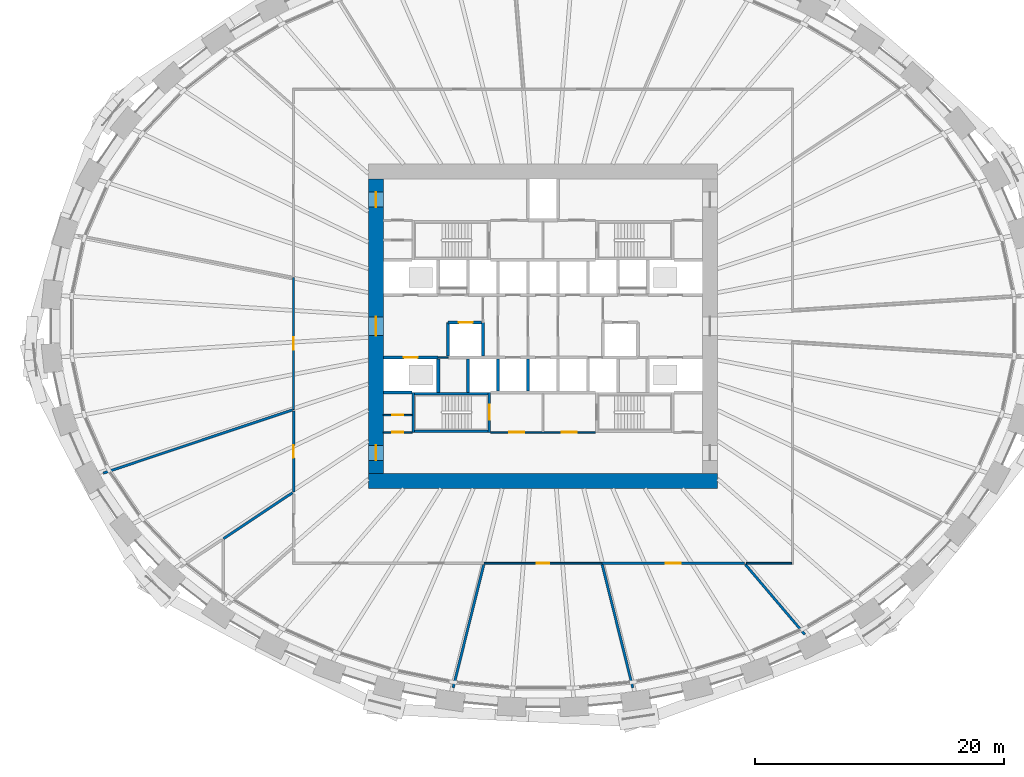
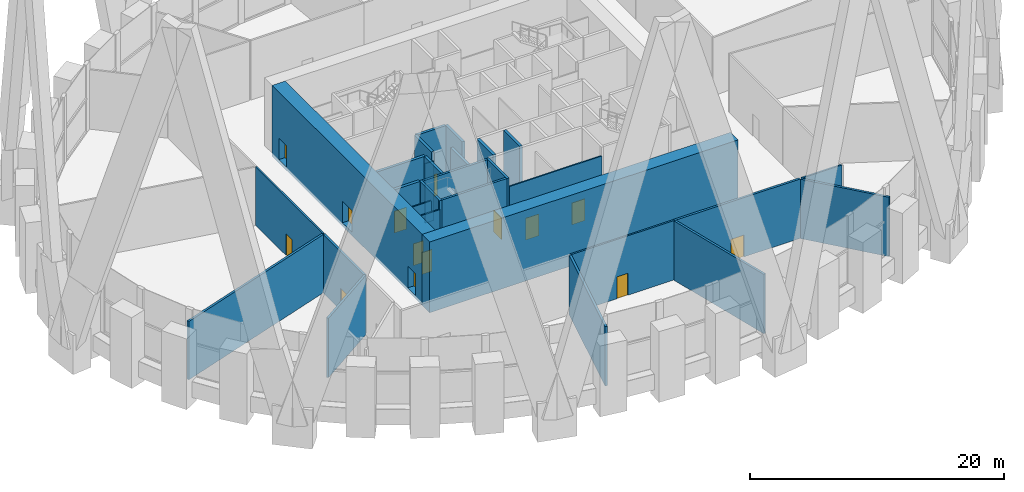
# One storey, part 9 of 17: 29 walls, 14 doors, 14 openings.
"""IFC4 building model written with IfcOpenShell, lengths in metres."""

from ifc_helpers import new_model, si_unit, direction, frame, frame_2d, origin, place, context, subcontext, project, spatial, rectangle, extrude, source, transform, mapped, material, layer, layer_set, type_object, element, fill, save


model = new_model("IFC4")

# Units and contexts
model_context = context("Model", 3, precision=1e-05, world=origin(), true_north=direction((0.0, 1.0)))
body_context = subcontext(model_context, "Body", "Model", "MODEL_VIEW")
ifc_project = project(units=[si_unit("LENGTHUNIT", "METRE"), si_unit("AREAUNIT", "SQUARE_METRE"), si_unit("VOLUMEUNIT", "CUBIC_METRE"), si_unit("PLANEANGLEUNIT", "RADIAN"), si_unit("MASSUNIT", "GRAM", prefix="KILO")], contexts=[model_context])

# Site, building, storey
site_placement = place(None, origin())
site = spatial("IfcSite", under=ifc_project, at=site_placement, CompositionType="ELEMENT")
building_placement = place(site_placement, origin())
building = spatial("IfcBuilding", under=site, at=building_placement, Name="Embergate Tower", CompositionType="ELEMENT")
storey_placement = place(building_placement, frame((0.0, 0.0, 125.0)))
storey = spatial("IfcBuildingStorey", under=building, at=storey_placement, Name="L27", CompositionType="ELEMENT", Elevation=125.0)

# Wall
ifc_material_1 = material(Name="Concrete C80", Category="concrete")
ifc_layer_1 = layer(ifc_material_1, 1.199951171875)
ifc_layer_set_1 = layer_set([ifc_layer_1], Name="Concrete C80")
wall_type_1 = type_object("IfcWallType", Name="Core outer wall C80 1200", PredefinedType="SHEAR", material=ifc_layer_set_1)
shared_shape_1 = source(origin(), body_context, "Body", "SweptSolid", [
    extrude(rectangle(XDim=28.0, YDim=1.199951171875, at=frame_2d((14.0, 0.0))), origin(), (0.0, 0.0, 1.0), 6.800048828125),
])
wall_1_placement = place(storey_placement, frame((-14.0, -12.39990234375, -0.300048828125), z_axis=(0.0, 0.0, 1.0), x_axis=(1.0, 0.0, 0.0)))
element("IfcWall", 1, at=wall_1_placement, inside=storey, type_object=wall_type_1, Name="CW-L27-S", PredefinedType="SHEAR", context=body_context, shape_type="MappedRepresentation", body=[
    mapped(shared_shape_1, transform((0.0, 0.0, 0.0))),
])

# Wall, openings, doors
shared_shape_2 = source(origin(), body_context, "Body", "SweptSolid", [
    extrude(rectangle(XDim=23.60009765625, YDim=1.199951171875, at=frame_2d((11.800048828125, 0.0))), origin(), (0.0, 0.0, 1.0), 6.800048828125),
])
wall_2_placement = place(storey_placement, frame((-13.39990234375, -11.800048828125, -0.300048828125), z_axis=(0.0, 0.0, 1.0), x_axis=(0.0, 1.0, 0.0)))
wall_2 = element("IfcWall", 2, at=wall_2_placement, inside=storey, type_object=wall_type_1, Name="CW-L27-W", PredefinedType="SHEAR", context=body_context, shape_type="MappedRepresentation", body=[
    mapped(shared_shape_2, transform((0.0, 0.0, 0.0))),
])
shared_shape_3 = source(origin(), body_context, "Body", "SweptSolid", [
    extrude(rectangle(XDim=1.199951171875, YDim=2.10009765625, at=frame_2d((0.60009765625, 1.050048828125))), frame((0.0, 0.60986328125, 0.0), z_axis=(0.0, -1.0, 0.0), x_axis=(1.0, 0.0, 0.0)), (0.0, 0.0, 1.0), 1.219970703125),
])
opening_1_placement = place(wall_2_placement, frame((21.35009765625, 0.0, 0.300048828125)))
opening_1 = element("IfcOpeningElement", 3, at=opening_1_placement, cuts=wall_2, Name="Opening IF-1", PredefinedType="OPENING", context=body_context, shape_type="MappedRepresentation", body=[
    mapped(shared_shape_3, transform((0.0, 0.0, 0.0))),
])
opening_2_placement = place(wall_2_placement, frame((1.050048828125, 0.0, 0.300048828125)))
opening_2 = element("IfcOpeningElement", 4, at=opening_2_placement, cuts=wall_2, Name="Opening IF-1", PredefinedType="OPENING", context=body_context, shape_type="MappedRepresentation", body=[
    mapped(shared_shape_3, transform((0.0, 0.0, 0.0))),
])
shared_shape_4 = source(origin(), body_context, "Body", "SweptSolid", [
    extrude(rectangle(XDim=1.5, YDim=2.10009765625, at=frame_2d((0.75, 1.050048828125))), frame((0.0, 0.60986328125, 0.0), z_axis=(0.0, -1.0, 0.0), x_axis=(1.0, 0.0, 0.0)), (0.0, 0.0, 1.0), 1.219970703125),
])
opening_3_placement = place(wall_2_placement, frame((11.050048828125, 0.0, 0.300048828125)))
opening_3 = element("IfcOpeningElement", 5, at=opening_3_placement, cuts=wall_2, Name="Opening IF-3", PredefinedType="OPENING", context=body_context, shape_type="MappedRepresentation", body=[
    mapped(shared_shape_4, transform((0.0, 0.0, 0.0))),
])
ifc_material_2 = material(Name="Escape fire door 1200")
door_type_1 = type_object("IfcDoorType", Name="Escape fire door 1200", OperationType="SINGLE_SWING_LEFT", PredefinedType="DOOR", material=ifc_material_2)
shared_shape_5 = source(origin(), body_context, "Body", "SweptSolid", [
    extrude(rectangle(XDim=1.199951171875, YDim=2.10009765625, at=frame_2d((0.60009765625, 1.050048828125))), frame((0.0, 0.02490234375, 0.0), z_axis=(0.0, -1.0, 0.0), x_axis=(1.0, 0.0, 0.0)), (0.0, 0.0, 1.0), 0.050048828125),
])
door_1_placement = place(opening_1_placement, origin())
door_1 = element("IfcDoor", 6, at=door_1_placement, inside=storey, type_object=door_type_1, Name="IF-1 door", OperationType="SINGLE_SWING_RIGHT", OverallHeight=2.10009765625, OverallWidth=1.199951171875, PredefinedType="DOOR", context=body_context, shape_type="MappedRepresentation", body=[
    mapped(shared_shape_5, transform((0.0, 0.0, 0.0))),
])
fill(opening_1, door_1)
door_2_placement = place(opening_2_placement, origin())
door_2 = element("IfcDoor", 7, at=door_2_placement, inside=storey, type_object=door_type_1, Name="IF-1 door", OperationType="SINGLE_SWING_LEFT", OverallHeight=2.10009765625, OverallWidth=1.199951171875, PredefinedType="DOOR", context=body_context, shape_type="MappedRepresentation", body=[
    mapped(shared_shape_5, transform((0.0, 0.0, 0.0))),
])
fill(opening_2, door_2)
ifc_material_3 = material(Name="Lobby fire door pair 1500")
door_type_2 = type_object("IfcDoorType", Name="Lobby fire door pair 1500", OperationType="DOUBLE_DOOR_SINGLE_SWING", PredefinedType="DOOR", material=ifc_material_3)
shared_shape_6 = source(origin(), body_context, "Body", "SweptSolid", [
    extrude(rectangle(XDim=1.5, YDim=2.10009765625, at=frame_2d((0.75, 1.050048828125))), frame((0.0, 0.02490234375, 0.0), z_axis=(0.0, -1.0, 0.0), x_axis=(1.0, 0.0, 0.0)), (0.0, 0.0, 1.0), 0.050048828125),
])
door_3_placement = place(opening_3_placement, origin())
door_3 = element("IfcDoor", 8, at=door_3_placement, inside=storey, type_object=door_type_2, Name="IF-3 door", OperationType="DOUBLE_DOOR_SINGLE_SWING", OverallHeight=2.10009765625, OverallWidth=1.5, PredefinedType="DOOR", context=body_context, shape_type="MappedRepresentation", body=[
    mapped(shared_shape_6, transform((0.0, 0.0, 0.0))),
])
fill(opening_3, door_3)

# Wall
ifc_material_4 = material(Name="Concrete C50", Category="concrete")
ifc_layer_2 = layer(ifc_material_4, 0.25)
ifc_layer_set_2 = layer_set([ifc_layer_2], Name="Concrete C50")
wall_type_2 = type_object("IfcWallType", Name="Hoistway wall reinforced concrete 250", PredefinedType="SHEAR", material=ifc_layer_set_2)
shared_shape_7 = source(origin(), body_context, "Body", "SweptSolid", [
    extrude(rectangle(XDim=2.675048828125, YDim=0.25, at=frame_2d((1.33740234375, 0.0))), origin(), (0.0, 0.0, 1.0), 6.5),
])
wall_3_placement = place(storey_placement, frame((-4.800048828125, 0.300048828125, 0.0), z_axis=(0.0, 0.0, 1.0), x_axis=(0.0, -1.0, 0.0)))
element("IfcWall", 9, at=wall_3_placement, inside=storey, type_object=wall_type_2, Name="HW-1 wall", PredefinedType="SHEAR", context=body_context, shape_type="MappedRepresentation", body=[
    mapped(shared_shape_7, transform((0.0, 0.0, 0.0))),
])

# Wall, opening, door
wall_4_placement = place(storey_placement, frame((-4.925048828125, 0.300048828125, 0.0), z_axis=(0.0, 0.0, 1.0), x_axis=(-1.0, 0.0, 0.0)))
wall_4 = element("IfcWall", 10, at=wall_4_placement, inside=storey, type_object=wall_type_2, Name="HW-1 wall", PredefinedType="SHEAR", context=body_context, shape_type="MappedRepresentation", body=[
    mapped(shared_shape_7, transform((0.0, 0.0, 0.0))),
])
shared_shape_8 = source(origin(), body_context, "Body", "SweptSolid", [
    extrude(rectangle(XDim=1.10009765625, YDim=2.10009765625, at=frame_2d((0.550048828125, 1.050048828125))), frame((0.0, 0.135009765625, 0.0), z_axis=(0.0, -1.0, 0.0), x_axis=(1.0, 0.0, 0.0)), (0.0, 0.0, 1.0), 0.27001953125),
])
opening_4_placement = place(wall_4_placement, frame((0.72509765625, 0.0, 0.0)))
opening_4 = element("IfcOpeningElement", 11, at=opening_4_placement, cuts=wall_4, Name="Opening LD", PredefinedType="OPENING", context=body_context, shape_type="MappedRepresentation", body=[
    mapped(shared_shape_8, transform((0.0, 0.0, 0.0))),
])
ifc_material_5 = material(Name="Landing door sliding 1100")
door_type_3 = type_object("IfcDoorType", Name="Landing door sliding 1100", OperationType="SLIDING_TO_LEFT", PredefinedType="DOOR", material=ifc_material_5)
shared_shape_9 = source(origin(), body_context, "Body", "SweptSolid", [
    extrude(rectangle(XDim=1.10009765625, YDim=2.10009765625, at=frame_2d((0.550048828125, 1.050048828125))), frame((0.0, 0.02490234375, 0.0), z_axis=(0.0, -1.0, 0.0), x_axis=(1.0, 0.0, 0.0)), (0.0, 0.0, 1.0), 0.050048828125),
])
door_4_placement = place(opening_4_placement, origin())
door_4 = element("IfcDoor", 12, at=door_4_placement, inside=storey, type_object=door_type_3, Name="LD door", OperationType="SLIDING_TO_RIGHT", OverallHeight=2.10009765625, OverallWidth=1.10009765625, PredefinedType="DOOR", context=body_context, shape_type="MappedRepresentation", body=[
    mapped(shared_shape_9, transform((0.0, 0.0, 0.0))),
])
fill(opening_4, door_4)

# Wall
wall_5_placement = place(storey_placement, frame((-7.60009765625, 0.300048828125, 0.0), z_axis=(0.0, 0.0, 1.0), x_axis=(0.0, -1.0, 0.0)))
element("IfcWall", 13, at=wall_5_placement, inside=storey, type_object=wall_type_2, Name="HW-1 wall", PredefinedType="SHEAR", context=body_context, shape_type="MappedRepresentation", body=[
    mapped(shared_shape_7, transform((0.0, 0.0, 0.0))),
])

# Wall, opening, door
shared_shape_10 = source(origin(), body_context, "Body", "SweptSolid", [
    extrude(rectangle(XDim=4.400146484375, YDim=0.25, at=frame_2d((2.2001953125, 0.0))), origin(), (0.0, 0.0, 1.0), 6.5),
])
wall_6_placement = place(storey_placement, frame((-8.39990234375, -2.5, 0.0), z_axis=(0.0, 0.0, 1.0), x_axis=(-1.0, 0.0, 0.0)))
wall_6 = element("IfcWall", 14, at=wall_6_placement, inside=storey, type_object=wall_type_2, Name="HW-1 wall", PredefinedType="SHEAR", context=body_context, shape_type="MappedRepresentation", body=[
    mapped(shared_shape_10, transform((0.0, 0.0, 0.0))),
])
opening_5_placement = place(wall_6_placement, frame((1.64990234375, 0.0, 0.0)))
opening_5 = element("IfcOpeningElement", 15, at=opening_5_placement, cuts=wall_6, Name="Opening LD", PredefinedType="OPENING", context=body_context, shape_type="MappedRepresentation", body=[
    mapped(shared_shape_8, transform((0.0, 0.0, 0.0))),
])
door_5_placement = place(opening_5_placement, origin())
door_5 = element("IfcDoor", 16, at=door_5_placement, inside=storey, type_object=door_type_3, Name="LD door", OperationType="SLIDING_TO_LEFT", OverallHeight=2.10009765625, OverallWidth=1.10009765625, PredefinedType="DOOR", context=body_context, shape_type="MappedRepresentation", body=[
    mapped(shared_shape_9, transform((0.0, 0.0, 0.0))),
])
fill(opening_5, door_5)

# Walls
ifc_layer_3 = layer(ifc_material_4, 0.199951171875)
ifc_layer_set_3 = layer_set([ifc_layer_3], Name="Concrete C50")
wall_type_3 = type_object("IfcWallType", Name="Stair enclosure wall reinforced concrete 250", PredefinedType="SHEAR", material=ifc_layer_set_3)
shared_shape_11 = source(origin(), body_context, "Body", "SweptSolid", [
    extrude(rectangle(XDim=6.300048828125, YDim=0.199951171875, at=frame_2d((3.14990234375, 0.0))), origin(), (0.0, 0.0, 1.0), 6.5),
])
for number, where, z_axis, x_axis, name in (
    (17, (-10.5, -5.39990234375, 0.0), (0.0, 0.0, 1.0), (1.0, 0.0, 0.0), "SE-1 wall"),
    (18, (-10.5, -8.39990234375, 0.0), (0.0, 0.0, 1.0), (1.0, 0.0, 0.0), "SE-1 wall"),
):
    element("IfcWall", number, at=place(storey_placement, frame(where, z_axis=z_axis, x_axis=x_axis)), inside=storey, type_object=wall_type_3, Name=name, PredefinedType="SHEAR", context=body_context, shape_type="MappedRepresentation", body=[
        mapped(shared_shape_11, transform((0.0, 0.0, 0.0))),
    ])
shared_shape_12 = source(origin(), body_context, "Body", "SweptSolid", [
    extrude(rectangle(XDim=2.300048828125, YDim=0.25, at=frame_2d((1.14990234375, 0.0))), origin(), (0.0, 0.0, 1.0), 6.5),
])
wall_7_placement = place(storey_placement, frame((-12.800048828125, -5.300048828125, 0.0), z_axis=(0.0, 0.0, 1.0), x_axis=(1.0, 0.0, 0.0)))
element("IfcWall", 19, at=wall_7_placement, inside=storey, type_object=wall_type_2, Name="HW-1 wall", PredefinedType="SHEAR", context=body_context, shape_type="MappedRepresentation", body=[
    mapped(shared_shape_12, transform((0.0, 0.0, 0.0))),
])
shared_shape_13 = source(origin(), body_context, "Body", "SweptSolid", [
    extrude(rectangle(XDim=2.550048828125, YDim=0.25, at=frame_2d((1.27490234375, 0.0))), origin(), (0.0, 0.0, 1.0), 6.5),
])
for number, where, z_axis, x_axis, name in (
    (20, (-3.60009765625, -5.175048828125, 0.0), (0.0, 0.0, 1.0), (0.0, 1.0, 0.0), "HW-1 wall"),
    (21, (-1.199951171875, -5.175048828125, 0.0), (0.0, 0.0, 1.0), (0.0, 1.0, 0.0), "HW-1 wall"),
):
    element("IfcWall", number, at=place(storey_placement, frame(where, z_axis=z_axis, x_axis=x_axis)), inside=storey, type_object=wall_type_2, Name=name, PredefinedType="SHEAR", context=body_context, shape_type="MappedRepresentation", body=[
        mapped(shared_shape_13, transform((0.0, 0.0, 0.0))),
    ])

# Wall, opening, door
shared_shape_14 = source(origin(), body_context, "Body", "SweptSolid", [
    extrude(rectangle(XDim=3.199951171875, YDim=0.199951171875, at=frame_2d((1.60009765625, 0.0))), origin(), (0.0, 0.0, 1.0), 6.5),
])
wall_8_placement = place(storey_placement, frame((-4.300048828125, -8.5, 0.0), z_axis=(0.0, 0.0, 1.0), x_axis=(0.0, 1.0, 0.0)))
wall_8 = element("IfcWall", 22, at=wall_8_placement, inside=storey, type_object=wall_type_3, Name="SE-1 wall", PredefinedType="SHEAR", context=body_context, shape_type="MappedRepresentation", body=[
    mapped(shared_shape_14, transform((0.0, 0.0, 0.0))),
])
shared_shape_15 = source(origin(), body_context, "Body", "SweptSolid", [
    extrude(rectangle(XDim=1.199951171875, YDim=2.10009765625, at=frame_2d((0.60009765625, 1.050048828125))), frame((0.0, 0.10986328125, 0.0), z_axis=(0.0, -1.0, 0.0), x_axis=(1.0, 0.0, 0.0)), (0.0, 0.0, 1.0), 0.219970703125),
])
opening_6_placement = place(wall_8_placement, frame((1.0, 0.0, 0.0)))
opening_6 = element("IfcOpeningElement", 23, at=opening_6_placement, cuts=wall_8, Name="Opening IF-2", PredefinedType="OPENING", context=body_context, shape_type="MappedRepresentation", body=[
    mapped(shared_shape_15, transform((0.0, 0.0, 0.0))),
])
ifc_material_6 = material(Name="Stair enclosure door 1200")
door_type_4 = type_object("IfcDoorType", Name="Stair enclosure door 1200", OperationType="SINGLE_SWING_LEFT", PredefinedType="DOOR", material=ifc_material_6)
door_6_placement = place(opening_6_placement, origin())
door_6 = element("IfcDoor", 24, at=door_6_placement, inside=storey, type_object=door_type_4, Name="IF-2 door", OperationType="SINGLE_SWING_LEFT", OverallHeight=2.10009765625, OverallWidth=1.199951171875, PredefinedType="DOOR", context=body_context, shape_type="MappedRepresentation", body=[
    mapped(shared_shape_5, transform((0.0, 0.0, 0.0))),
])
fill(opening_6, door_6)

# Wall
wall_9_placement = place(storey_placement, frame((-10.39990234375, -5.300048828125, 0.0), z_axis=(0.0, 0.0, 1.0), x_axis=(0.0, -1.0, 0.0)))
element("IfcWall", 25, at=wall_9_placement, inside=storey, type_object=wall_type_3, Name="SE-1 wall", PredefinedType="SHEAR", context=body_context, shape_type="MappedRepresentation", body=[
    mapped(shared_shape_14, transform((0.0, 0.0, 0.0))),
])

# Wall, openings, doors
ifc_material_7 = material(Name="Core partition blockwork 120")
ifc_layer_4 = layer(ifc_material_7, 0.1201171875)
ifc_layer_set_4 = layer_set([ifc_layer_4], Name="Core partition blockwork 120")
wall_type_4 = type_object("IfcWallType", Name="Core partition blockwork 120", PredefinedType="PARTITIONING", material=ifc_layer_set_4)
shared_shape_16 = source(origin(), body_context, "Body", "SweptSolid", [
    extrude(rectangle(XDim=8.39990234375, YDim=0.1201171875, at=frame_2d((4.199951171875, 0.0))), origin(), (0.0, 0.0, 1.0), 5.699951171875),
])
wall_10_placement = place(storey_placement, frame((-4.199951171875, -8.5, 0.0), z_axis=(0.0, 0.0, 1.0), x_axis=(1.0, 0.0, 0.0)))
wall_10 = element("IfcWall", 26, at=wall_10_placement, inside=storey, type_object=wall_type_4, Name="IP-3 wall", PredefinedType="PARTITIONING", context=body_context, shape_type="MappedRepresentation", body=[
    mapped(shared_shape_16, transform((0.0, 0.0, 0.0))),
])
shared_shape_17 = source(origin(), body_context, "Body", "SweptSolid", [
    extrude(rectangle(XDim=1.199951171875, YDim=2.10009765625, at=frame_2d((0.60009765625, 1.050048828125))), frame((0.0, 0.070068359375, 0.0), z_axis=(0.0, -1.0, 0.0), x_axis=(1.0, 0.0, 0.0)), (0.0, 0.0, 1.0), 0.14013671875),
])
opening_7_placement = place(wall_10_placement, frame((1.5, 0.0, 0.0)))
opening_7 = element("IfcOpeningElement", 27, at=opening_7_placement, cuts=wall_10, Name="Opening IF-3f", PredefinedType="OPENING", context=body_context, shape_type="MappedRepresentation", body=[
    mapped(shared_shape_17, transform((0.0, 0.0, 0.0))),
])
opening_8_placement = place(wall_10_placement, frame((5.699951171875, 0.0, 0.0)))
opening_8 = element("IfcOpeningElement", 28, at=opening_8_placement, cuts=wall_10, Name="Opening IF-3f", PredefinedType="OPENING", context=body_context, shape_type="MappedRepresentation", body=[
    mapped(shared_shape_17, transform((0.0, 0.0, 0.0))),
])
ifc_material_8 = material(Name="Lobby fire door pair 1200")
door_type_5 = type_object("IfcDoorType", Name="Lobby fire door pair 1200", OperationType="DOUBLE_DOOR_SINGLE_SWING", PredefinedType="DOOR", material=ifc_material_8)
door_7_placement = place(opening_7_placement, origin())
door_7 = element("IfcDoor", 29, at=door_7_placement, inside=storey, type_object=door_type_5, Name="IF-3 door", OperationType="DOUBLE_DOOR_SINGLE_SWING", OverallHeight=2.10009765625, OverallWidth=1.199951171875, PredefinedType="DOOR", context=body_context, shape_type="MappedRepresentation", body=[
    mapped(shared_shape_5, transform((0.0, 0.0, 0.0))),
])
fill(opening_7, door_7)
door_8_placement = place(opening_8_placement, origin())
door_8 = element("IfcDoor", 30, at=door_8_placement, inside=storey, type_object=door_type_5, Name="IF-3 door", OperationType="DOUBLE_DOOR_SINGLE_SWING", OverallHeight=2.10009765625, OverallWidth=1.199951171875, PredefinedType="DOOR", context=body_context, shape_type="MappedRepresentation", body=[
    mapped(shared_shape_5, transform((0.0, 0.0, 0.0))),
])
fill(opening_8, door_8)

# Wall, opening, door
shared_shape_18 = source(origin(), body_context, "Body", "SweptSolid", [
    extrude(rectangle(XDim=2.300048828125, YDim=0.1201171875, at=frame_2d((1.14990234375, 0.0))), origin(), (0.0, 0.0, 1.0), 5.699951171875),
])
wall_11_placement = place(storey_placement, frame((-10.5, -8.5, 0.0), z_axis=(0.0, 0.0, 1.0), x_axis=(-1.0, 0.0, 0.0)))
wall_11 = element("IfcWall", 31, at=wall_11_placement, inside=storey, type_object=wall_type_4, Name="IP-3 wall", PredefinedType="PARTITIONING", context=body_context, shape_type="MappedRepresentation", body=[
    mapped(shared_shape_18, transform((0.0, 0.0, 0.0))),
])
shared_shape_19 = source(origin(), body_context, "Body", "SweptSolid", [
    extrude(rectangle(XDim=0.89990234375, YDim=2.10009765625, at=frame_2d((0.449951171875, 1.050048828125))), frame((0.0, 0.070068359375, 0.0), z_axis=(0.0, -1.0, 0.0), x_axis=(1.0, 0.0, 0.0)), (0.0, 0.0, 1.0), 0.14013671875),
])
opening_9_placement = place(wall_11_placement, frame((0.699951171875, 0.0, 0.0)))
opening_9 = element("IfcOpeningElement", 32, at=opening_9_placement, cuts=wall_11, Name="Opening ID-1", PredefinedType="OPENING", context=body_context, shape_type="MappedRepresentation", body=[
    mapped(shared_shape_19, transform((0.0, 0.0, 0.0))),
])
ifc_material_9 = material(Name="Interior door 900")
door_type_6 = type_object("IfcDoorType", Name="Interior door 900", OperationType="SINGLE_SWING_LEFT", PredefinedType="DOOR", material=ifc_material_9)
shared_shape_20 = source(origin(), body_context, "Body", "SweptSolid", [
    extrude(rectangle(XDim=0.89990234375, YDim=2.10009765625, at=frame_2d((0.449951171875, 1.050048828125))), frame((0.0, 0.02490234375, 0.0), z_axis=(0.0, -1.0, 0.0), x_axis=(1.0, 0.0, 0.0)), (0.0, 0.0, 1.0), 0.050048828125),
])
door_9_placement = place(opening_9_placement, origin())
door_9 = element("IfcDoor", 33, at=door_9_placement, inside=storey, type_object=door_type_6, Name="ID-1 door", OperationType="SINGLE_SWING_LEFT", OverallHeight=2.10009765625, OverallWidth=0.89990234375, PredefinedType="DOOR", context=body_context, shape_type="MappedRepresentation", body=[
    mapped(shared_shape_20, transform((0.0, 0.0, 0.0))),
])
fill(opening_9, door_9)

wall_12_placement = place(storey_placement, frame((-10.5, -7.1240234375, 0.0), z_axis=(0.0, 0.0, 1.0), x_axis=(-1.0, 0.0, 0.0)))
wall_12 = element("IfcWall", 34, at=wall_12_placement, inside=storey, type_object=wall_type_4, Name="IP-3 wall", PredefinedType="PARTITIONING", context=body_context, shape_type="MappedRepresentation", body=[
    mapped(shared_shape_18, transform((0.0, 0.0, 0.0))),
])
opening_10_placement = place(wall_12_placement, frame((0.699951171875, 0.0, 0.0)))
opening_10 = element("IfcOpeningElement", 35, at=opening_10_placement, cuts=wall_12, Name="Opening ID-1", PredefinedType="OPENING", context=body_context, shape_type="MappedRepresentation", body=[
    mapped(shared_shape_19, transform((0.0, 0.0, 0.0))),
])
door_10_placement = place(opening_10_placement, origin())
door_10 = element("IfcDoor", 36, at=door_10_placement, inside=storey, type_object=door_type_6, Name="ID-1 door", OperationType="SINGLE_SWING_RIGHT", OverallHeight=2.10009765625, OverallWidth=0.89990234375, PredefinedType="DOOR", context=body_context, shape_type="MappedRepresentation", body=[
    mapped(shared_shape_20, transform((0.0, 0.0, 0.0))),
])
fill(opening_10, door_10)

# Walls
shared_shape_21 = source(origin(), body_context, "Body", "SweptSolid", [
    extrude(rectangle(XDim=2.671142578125, YDim=0.25, at=frame_2d((1.33544921875, 0.0))), origin(), (0.0, 0.0, 1.0), 6.5),
])
for number, where, z_axis, x_axis, name in (
    (37, (-8.39990234375, -5.298095703125, 0.0), (0.0, 0.0, 1.0), (0.0, 1.0, 0.0), "HW-1 wall"),
    (38, (-6.0, -2.626953125, 0.0), (0.0, 0.0, 1.0), (0.0, -1.0, 0.0), "HW-1 wall"),
):
    element("IfcWall", number, at=place(storey_placement, frame(where, z_axis=z_axis, x_axis=x_axis)), inside=storey, type_object=wall_type_2, Name=name, PredefinedType="SHEAR", context=body_context, shape_type="MappedRepresentation", body=[
        mapped(shared_shape_21, transform((0.0, 0.0, 0.0))),
    ])
shared_shape_22 = source(origin(), body_context, "Body", "SweptSolid", [
    extrude(rectangle(XDim=0.7958984375, YDim=0.1201171875, at=frame_2d((0.39794921875, 0.0))), origin(), (0.0, 0.0, 1.0), 5.699951171875),
])
wall_13_placement = place(storey_placement, frame((-8.39794921875, -2.5, 0.0), z_axis=(0.0, 0.0, 1.0), x_axis=(1.0, 0.0, 0.0)))
element("IfcWall", 39, at=wall_13_placement, inside=storey, type_object=wall_type_4, Name="IP-3 wall", PredefinedType="PARTITIONING", context=body_context, shape_type="MappedRepresentation", body=[
    mapped(shared_shape_22, transform((0.0, 0.0, 0.0))),
])
ifc_material_10 = material(Name="Blockwork, plastered", Category="masonry")
ifc_layer_5 = layer(ifc_material_10, 0.199951171875)
ifc_layer_set_5 = layer_set([ifc_layer_5], Name="Blockwork, plastered")
wall_type_5 = type_object("IfcWallType", Name="Partition wall 200 block", PredefinedType="PARTITIONING", material=ifc_layer_set_5)
shared_shape_23 = source(origin(), body_context, "Body", "SweptSolid", [
    extrude(rectangle(XDim=6.645263671875, YDim=0.199951171875, at=frame_2d((3.32275390625, 0.0))), origin(), (0.0, 0.0, 1.0), 5.699951171875),
])
wall_14_placement = place(storey_placement, frame((-20.0830078125, -13.346923828125, 0.0), z_axis=(0.0, 0.0, 1.0), x_axis=(-0.83276742507, -0.55362299062, 0.0)))
element("IfcWall", 40, at=wall_14_placement, inside=storey, type_object=wall_type_5, Name="Partition 006", PredefinedType="PARTITIONING", context=body_context, shape_type="MappedRepresentation", body=[
    mapped(shared_shape_23, transform((0.0, 0.0, 0.0))),
])

# Wall, opening, door
shared_shape_24 = source(origin(), body_context, "Body", "SweptSolid", [
    extrude(rectangle(XDim=6.493896484375, YDim=0.199951171875, at=frame_2d((3.2470703125, 0.0))), origin(), (0.0, 0.0, 1.0), 5.60009765625),
])
wall_15_placement = place(storey_placement, frame((-20.0, -13.2919921875, 0.0), z_axis=(0.0, 0.0, 1.0), x_axis=(0.0, 1.0, 0.0)))
wall_15 = element("IfcWall", 41, at=wall_15_placement, inside=storey, type_object=wall_type_5, Name="Partition 007", PredefinedType="PARTITIONING", context=body_context, shape_type="MappedRepresentation", body=[
    mapped(shared_shape_24, transform((0.0, 0.0, 0.0))),
])
shared_shape_25 = source(origin(), body_context, "Body", "SweptSolid", [
    extrude(rectangle(XDim=1.0, YDim=2.10009765625, at=frame_2d((0.5, 1.050048828125))), frame((0.0, 0.10986328125, 0.0), z_axis=(0.0, -1.0, 0.0), x_axis=(1.0, 0.0, 0.0)), (0.0, 0.0, 1.0), 0.219970703125),
])
opening_11_placement = place(wall_15_placement, frame((2.7470703125, 0.0, 0.0)))
opening_11 = element("IfcOpeningElement", 42, at=opening_11_placement, cuts=wall_15, Name="Opening DS-111", PredefinedType="OPENING", context=body_context, shape_type="MappedRepresentation", body=[
    mapped(shared_shape_25, transform((0.0, 0.0, 0.0))),
])
ifc_material_11 = material(Name="Timber door leaf, steel frame", Category="steel")
door_type_7 = type_object("IfcDoorType", Name="Single door 1000x2100", OperationType="SINGLE_SWING_LEFT", PredefinedType="DOOR", material=ifc_material_11)
shared_shape_26 = source(origin(), body_context, "Body", "SweptSolid", [
    extrude(rectangle(XDim=1.0, YDim=2.10009765625, at=frame_2d((0.5, 1.050048828125))), frame((0.0, 0.02490234375, 0.0), z_axis=(0.0, -1.0, 0.0), x_axis=(1.0, 0.0, 0.0)), (0.0, 0.0, 1.0), 0.050048828125),
])
door_11_placement = place(opening_11_placement, origin())
door_11 = element("IfcDoor", 43, at=door_11_placement, inside=storey, type_object=door_type_7, Name="Door to Public WC", OperationType="SINGLE_SWING_LEFT", OverallHeight=2.10009765625, OverallWidth=1.0, PredefinedType="DOOR", context=body_context, shape_type="MappedRepresentation", body=[
    mapped(shared_shape_26, transform((0.0, 0.0, 0.0))),
])
fill(opening_11, door_11)

# Wall
shared_shape_27 = source(origin(), body_context, "Body", "SweptSolid", [
    extrude(rectangle(XDim=15.9765625, YDim=0.199951171875, at=frame_2d((7.98828125, 0.0))), origin(), (0.0, 0.0, 1.0), 5.60009765625),
])
wall_16_placement = place(storey_placement, frame((-20.094970703125, -6.7099609375, 0.0), z_axis=(0.0, 0.0, 1.0), x_axis=(-0.948519662343, -0.316718250419, 0.0)))
element("IfcWall", 44, at=wall_16_placement, inside=storey, type_object=wall_type_5, Name="Partition 008", PredefinedType="PARTITIONING", context=body_context, shape_type="MappedRepresentation", body=[
    mapped(shared_shape_27, transform((0.0, 0.0, 0.0))),
])

# Wall, opening, door
ifc_material_12 = material(Name="Plasterboard on steel stud", Category="steel")
ifc_layer_6 = layer(ifc_material_12, 0.14990234375)
ifc_layer_set_6 = layer_set([ifc_layer_6], Name="Plasterboard on steel stud")
wall_type_6 = type_object("IfcWallType", Name="Partition wall 150 board", PredefinedType="PARTITIONING", material=ifc_layer_set_6)
shared_shape_28 = source(origin(), body_context, "Body", "SweptSolid", [
    extrude(rectangle(XDim=10.5849609375, YDim=0.14990234375, at=frame_2d((5.29248046875, 0.0))), origin(), (0.0, 0.0, 1.0), 5.60009765625),
])
wall_17_placement = place(storey_placement, frame((-20.0, -6.677978515625, 0.0), z_axis=(0.0, 0.0, 1.0), x_axis=(0.0, 1.0, 0.0)))
wall_17 = element("IfcWall", 45, at=wall_17_placement, inside=storey, type_object=wall_type_6, Name="Partition 009", PredefinedType="PARTITIONING", context=body_context, shape_type="MappedRepresentation", body=[
    mapped(shared_shape_28, transform((0.0, 0.0, 0.0))),
])
shared_shape_29 = source(origin(), body_context, "Body", "SweptSolid", [
    extrude(rectangle(XDim=1.0, YDim=2.10009765625, at=frame_2d((0.5, 1.050048828125))), frame((0.0, 0.0849609375, 0.0), z_axis=(0.0, -1.0, 0.0), x_axis=(1.0, 0.0, 0.0)), (0.0, 0.0, 1.0), 0.169921875),
])
opening_12_placement = place(wall_17_placement, frame((4.79296875, 0.0, 0.0)))
opening_12 = element("IfcOpeningElement", 46, at=opening_12_placement, cuts=wall_17, Name="Opening DS-110", PredefinedType="OPENING", context=body_context, shape_type="MappedRepresentation", body=[
    mapped(shared_shape_29, transform((0.0, 0.0, 0.0))),
])
door_12_placement = place(opening_12_placement, origin())
door_12 = element("IfcDoor", 47, at=door_12_placement, inside=storey, type_object=door_type_7, Name="Door to Tenant meeting suite", OperationType="SINGLE_SWING_LEFT", OverallHeight=2.10009765625, OverallWidth=1.0, PredefinedType="DOOR", context=body_context, shape_type="MappedRepresentation", body=[
    mapped(shared_shape_26, transform((0.0, 0.0, 0.0))),
])
fill(opening_12, door_12)

# Walls
ifc_layer_7 = layer(ifc_material_10, 0.199951171875)
ifc_layer_set_7 = layer_set([ifc_layer_7], Name="Blockwork, plastered")
wall_type_7 = type_object("IfcWallType", Name="Fire partition wall 200 block", PredefinedType="PARTITIONING", material=ifc_layer_set_7)
shared_shape_30 = source(origin(), body_context, "Body", "SweptSolid", [
    extrude(rectangle(XDim=10.175048828125, YDim=0.199951171875, at=frame_2d((5.08740234375, 0.0))), origin(), (0.0, 0.0, 1.0), 5.699951171875),
])
for number, where, z_axis, x_axis, name in (
    (48, (-4.7490234375, -19.10693359375, 0.0), (0.0, 0.0, 1.0), (-0.241067480628, -0.97050835637, 0.0), "Partition 018"),
    (49, (4.7490234375, -19.10693359375, 0.0), (0.0, 0.0, 1.0), (0.241067480628, -0.97050835637, 0.0), "Partition 022"),
):
    element("IfcWall", number, at=place(storey_placement, frame(where, z_axis=z_axis, x_axis=x_axis)), inside=storey, type_object=wall_type_7, Name=name, PredefinedType="PARTITIONING", context=body_context, shape_type="MappedRepresentation", body=[
        mapped(shared_shape_30, transform((0.0, 0.0, 0.0))),
    ])

# Wall, opening, door
shared_shape_31 = source(origin(), body_context, "Body", "SweptSolid", [
    extrude(rectangle(XDim=9.44384765625, YDim=0.14990234375, at=frame_2d((4.721923828125, 0.0))), origin(), (0.0, 0.0, 1.0), 5.699951171875),
])
wall_18_placement = place(storey_placement, frame((4.721923828125, -19.0, 0.0), z_axis=(0.0, 0.0, 1.0), x_axis=(-1.0, 0.0, 0.0)))
wall_18 = element("IfcWall", 50, at=wall_18_placement, inside=storey, type_object=wall_type_6, Name="Partition 021", PredefinedType="PARTITIONING", context=body_context, shape_type="MappedRepresentation", body=[
    mapped(shared_shape_31, transform((0.0, 0.0, 0.0))),
])
opening_13_placement = place(wall_18_placement, frame((4.221923828125, 0.0, 0.0)))
opening_13 = element("IfcOpeningElement", 51, at=opening_13_placement, cuts=wall_18, Name="Opening DS-115", PredefinedType="OPENING", context=body_context, shape_type="MappedRepresentation", body=[
    mapped(shared_shape_29, transform((0.0, 0.0, 0.0))),
])
door_13_placement = place(opening_13_placement, origin())
door_13 = element("IfcDoor", 52, at=door_13_placement, inside=storey, type_object=door_type_7, Name="Door to Business centre", OperationType="SINGLE_SWING_LEFT", OverallHeight=2.10009765625, OverallWidth=1.0, PredefinedType="DOOR", context=body_context, shape_type="MappedRepresentation", body=[
    mapped(shared_shape_26, transform((0.0, 0.0, 0.0))),
])
fill(opening_13, door_13)

shared_shape_32 = source(origin(), body_context, "Body", "SweptSolid", [
    extrude(rectangle(XDim=11.420166015625, YDim=0.199951171875, at=frame_2d((5.7099609375, 0.0))), origin(), (0.0, 0.0, 1.0), 5.699951171875),
])
wall_19_placement = place(storey_placement, frame((16.14208984375, -19.0, 0.0), z_axis=(0.0, 0.0, 1.0), x_axis=(-1.0, 0.0, 0.0)))
wall_19 = element("IfcWall", 53, at=wall_19_placement, inside=storey, type_object=wall_type_7, Name="Partition 025", PredefinedType="PARTITIONING", context=body_context, shape_type="MappedRepresentation", body=[
    mapped(shared_shape_32, transform((0.0, 0.0, 0.0))),
])
opening_14_placement = place(wall_19_placement, frame((5.110107421875, 0.0, 0.0)))
opening_14 = element("IfcOpeningElement", 54, at=opening_14_placement, cuts=wall_19, Name="Opening DS-116", PredefinedType="OPENING", context=body_context, shape_type="MappedRepresentation", body=[
    mapped(shared_shape_15, transform((0.0, 0.0, 0.0))),
])
door_type_8 = type_object("IfcDoorType", Name="Plant door 1200x2100", OperationType="SINGLE_SWING_LEFT", PredefinedType="DOOR", material=ifc_material_11)
shared_shape_33 = source(origin(), body_context, "Body", "SweptSolid", [
    extrude(rectangle(XDim=1.199951171875, YDim=2.10009765625, at=frame_2d((0.60009765625, 1.050048828125))), frame((0.0, 0.02490234375, 0.0), z_axis=(0.0, -1.0, 0.0), x_axis=(1.0, 0.0, 0.0)), (0.0, 0.0, 1.0), 0.050048828125),
])
door_14_placement = place(opening_14_placement, origin())
door_14 = element("IfcDoor", 55, at=door_14_placement, inside=storey, type_object=door_type_8, Name="Door to Sky lobby waiting area", OperationType="SINGLE_SWING_LEFT", OverallHeight=2.10009765625, OverallWidth=1.199951171875, PredefinedType="DOOR", context=body_context, shape_type="MappedRepresentation", body=[
    mapped(shared_shape_33, transform((0.0, 0.0, 0.0))),
])
fill(opening_14, door_14)

# Walls
shared_shape_34 = source(origin(), body_context, "Body", "SweptSolid", [
    extrude(rectangle(XDim=7.39453125, YDim=0.199951171875, at=frame_2d((3.697265625, 0.0))), origin(), (0.0, 0.0, 1.0), 5.699951171875),
])
wall_20_placement = place(storey_placement, frame((16.20703125, -19.075927734375, 0.0), z_axis=(0.0, 0.0, 1.0), x_axis=(0.647356063101, -0.762187724623, 0.0)))
element("IfcWall", 56, at=wall_20_placement, inside=storey, type_object=wall_type_7, Name="Partition 026", PredefinedType="PARTITIONING", context=body_context, shape_type="MappedRepresentation", body=[
    mapped(shared_shape_34, transform((0.0, 0.0, 0.0))),
])
shared_shape_35 = source(origin(), body_context, "Body", "SweptSolid", [
    extrude(rectangle(XDim=3.613037109375, YDim=0.14990234375, at=frame_2d((1.806640625, 0.0))), origin(), (0.0, 0.0, 1.0), 5.699951171875),
])
wall_21_placement = place(storey_placement, frame((19.925048828125, -19.0, 0.0), z_axis=(0.0, 0.0, 1.0), x_axis=(-1.0, 0.0, 0.0)))
element("IfcWall", 57, at=wall_21_placement, inside=storey, type_object=wall_type_6, Name="Partition 027", PredefinedType="PARTITIONING", context=body_context, shape_type="MappedRepresentation", body=[
    mapped(shared_shape_35, transform((0.0, 0.0, 0.0))),
])

save(model, "model.ifc")
